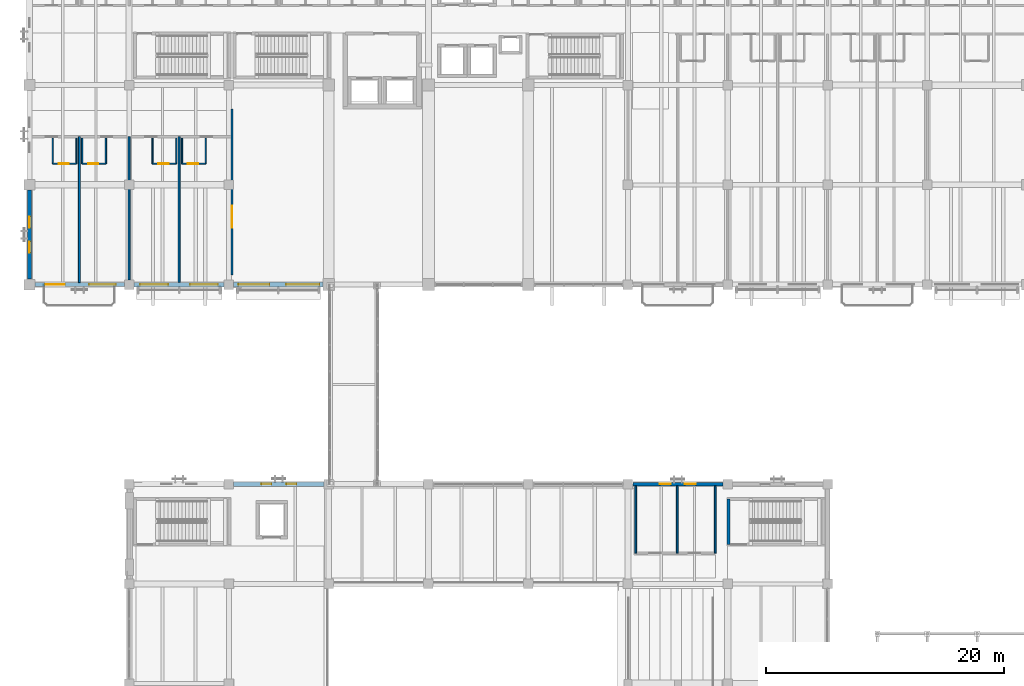
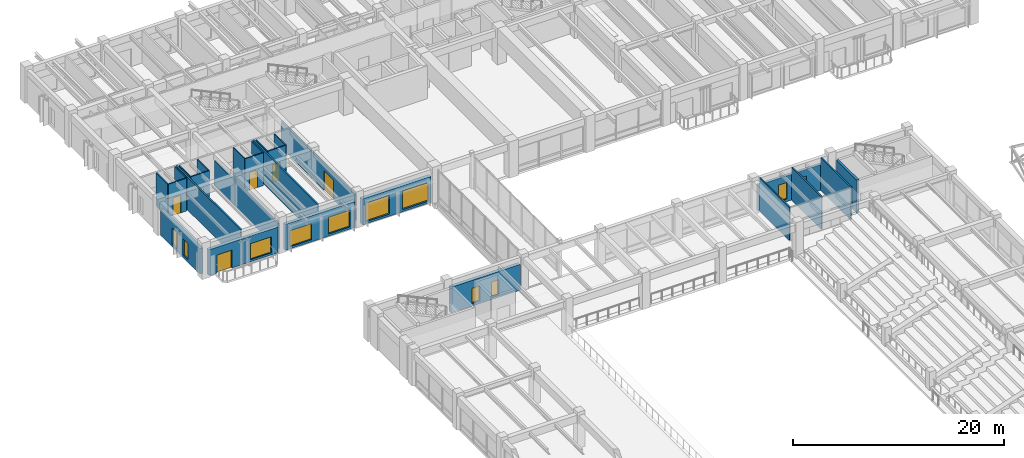
# One storey, part 84 of 132: 26 walls, 11 windows, 6 doors, 17 openings.
"""IFC4 building model written with IfcOpenShell, lengths in metres."""

from ifc_helpers import new_model, si_unit, direction, frame, frame_2d, origin, place, context, subcontext, project, spatial, rectangle, extrude, material, layer, layer_set, type_object, element, fill, save


model = new_model("IFC4")

# Units and contexts
model_context = context("Model", 3, precision=1e-05, world=origin(), true_north=direction((0.0, 1.0)))
body_context = subcontext(model_context, "Body", "Model", "MODEL_VIEW")
ifc_project = project(units=[si_unit("LENGTHUNIT", "METRE"), si_unit("AREAUNIT", "SQUARE_METRE"), si_unit("VOLUMEUNIT", "CUBIC_METRE"), si_unit("PLANEANGLEUNIT", "RADIAN"), si_unit("MASSUNIT", "GRAM", prefix="KILO")], contexts=[model_context])

# Site, building, storey
site_placement = place(None, origin())
site = spatial("IfcSite", under=ifc_project, at=site_placement, CompositionType="ELEMENT")
building_placement = place(site_placement, origin())
building = spatial("IfcBuilding", under=site, at=building_placement, Name="Cumbredor Promenade Congress Hotel", CompositionType="ELEMENT")
storey_placement = place(building_placement, frame((0.0, 0.0, 7.56005859375)))
storey = spatial("IfcBuildingStorey", under=building, at=storey_placement, Name="L02", CompositionType="ELEMENT", Elevation=7.56005859375)

# Wall, opening, door
ifc_material_1 = material(Name="Moisture-resistant gypsum board on steel studs", Category="steel")
ifc_layer_1 = layer(ifc_material_1, 0.114990234375, Name="Moisture-resistant gypsum board on steel studs", Category="steel")
ifc_layer_set_1 = layer_set([ifc_layer_1], Name="Moisture-resistant gypsum board on steel studs")
wall_type_1 = type_object("IfcWallType", Name="WL-BATH-115", PredefinedType="PARTITIONING", material=ifc_layer_set_1)
wall_1_placement = place(storey_placement, frame((1.9599609375, 94.179931640625, 0.0), z_axis=(0.0, 0.0, 1.0), x_axis=(1.0, 0.0, 0.0)))
wall_1 = element("IfcWall", 1, at=wall_1_placement, inside=storey, type_object=wall_type_1, Name="L02 Interior Partition W-L02-BH-0281", PredefinedType="PARTITIONING", context=body_context, shape_type="SweptSolid", body=[
    extrude(rectangle(XDim=2.0, YDim=0.114990234375, at=frame_2d((1.0, 0.0))), origin(), (0.0, 0.0, 1.0), 3.800048828125),
])
opening_1_placement = place(wall_1_placement, frame((0.5, 0.0, 0.0)))
opening_1 = element("IfcOpeningElement", 2, at=opening_1_placement, cuts=wall_1, Name="Opening ID-01", PredefinedType="OPENING", context=body_context, shape_type="SweptSolid", body=[
    extrude(rectangle(XDim=0.860107421875, YDim=2.050048828125, at=frame_2d((0.43017578125, 1.02490234375))), frame((0.0, 0.0673828125, 0.0), z_axis=(0.0, -1.0, 0.0), x_axis=(1.0, 0.0, 0.0)), (0.0, 0.0, 1.0), 0.135009765625),
])
ifc_material_2 = material(Name="Kiln-dried tropical hardwood", Category="wood")
door_type_1 = type_object("IfcDoorType", Name="DR-BATH-860", OperationType="NOTDEFINED", PredefinedType="DOOR", material=ifc_material_2)
door_1_placement = place(opening_1_placement, origin())
door_1 = element("IfcDoor", 3, at=door_1_placement, inside=storey, type_object=door_type_1, Name="L02 Interior Door W-L02-BH-0281-01", OperationType="SINGLE_SWING_LEFT", OverallHeight=2.050048828125, OverallWidth=0.860107421875, PredefinedType="DOOR", context=body_context, shape_type="SweptSolid", body=[
    extrude(rectangle(XDim=0.860107421875, YDim=2.050048828125, at=frame_2d((0.43017578125, 1.02490234375))), frame((0.0, 0.02490234375, 0.0), z_axis=(0.0, -1.0, 0.0), x_axis=(1.0, 0.0, 0.0)), (0.0, 0.0, 1.0), 0.050048828125),
])
fill(opening_1, door_1)

# Walls
for number, where, z_axis, x_axis, name in (
    (4, (1.9599609375, 94.179931640625, 0.0), (0.0, 0.0, 1.0), (0.0, 1.0, 0.0), "L02 Interior Partition W-L02-BV1-0281"),
    (5, (3.9599609375, 94.179931640625, 0.0), (0.0, 0.0, 1.0), (0.0, 1.0, 0.0), "L02 Interior Partition W-L02-BV2-0281"),
):
    element("IfcWall", number, at=place(storey_placement, frame(where, z_axis=z_axis, x_axis=x_axis)), inside=storey, type_object=wall_type_1, Name=name, PredefinedType="PARTITIONING", context=body_context, shape_type="SweptSolid", body=[
        extrude(rectangle(XDim=2.150146484375, YDim=0.114990234375, at=frame_2d((1.0751953125, 0.0))), origin(), (0.0, 0.0, 1.0), 3.800048828125),
    ])

# Wall, opening, door
wall_2_placement = place(storey_placement, frame((4.43994140625, 94.179931640625, 0.0), z_axis=(0.0, 0.0, 1.0), x_axis=(1.0, 0.0, 0.0)))
wall_2 = element("IfcWall", 6, at=wall_2_placement, inside=storey, type_object=wall_type_1, Name="L02 Interior Partition W-L02-BH-0282", PredefinedType="PARTITIONING", context=body_context, shape_type="SweptSolid", body=[
    extrude(rectangle(XDim=2.0, YDim=0.114990234375, at=frame_2d((1.0, 0.0))), origin(), (0.0, 0.0, 1.0), 3.800048828125),
])
opening_2_placement = place(wall_2_placement, frame((0.5, 0.0, 0.0)))
opening_2 = element("IfcOpeningElement", 7, at=opening_2_placement, cuts=wall_2, Name="Opening ID-01", PredefinedType="OPENING", context=body_context, shape_type="SweptSolid", body=[
    extrude(rectangle(XDim=0.860107421875, YDim=2.050048828125, at=frame_2d((0.43017578125, 1.02490234375))), frame((0.0, 0.0673828125, 0.0), z_axis=(0.0, -1.0, 0.0), x_axis=(1.0, 0.0, 0.0)), (0.0, 0.0, 1.0), 0.135009765625),
])
door_2_placement = place(opening_2_placement, origin())
door_2 = element("IfcDoor", 8, at=door_2_placement, inside=storey, type_object=door_type_1, Name="L02 Interior Door W-L02-BH-0282-01", OperationType="SINGLE_SWING_RIGHT", OverallHeight=2.050048828125, OverallWidth=0.860107421875, PredefinedType="DOOR", context=body_context, shape_type="SweptSolid", body=[
    extrude(rectangle(XDim=0.860107421875, YDim=2.050048828125, at=frame_2d((0.43017578125, 1.02490234375))), frame((0.0, 0.02490234375, 0.0), z_axis=(0.0, -1.0, 0.0), x_axis=(1.0, 0.0, 0.0)), (0.0, 0.0, 1.0), 0.050048828125),
])
fill(opening_2, door_2)

# Walls
for number, where, z_axis, x_axis, name in (
    (9, (4.43994140625, 94.179931640625, 0.0), (0.0, 0.0, 1.0), (0.0, 1.0, 0.0), "L02 Interior Partition W-L02-BV1-0282"),
    (10, (6.43994140625, 94.179931640625, 0.0), (0.0, 0.0, 1.0), (0.0, 1.0, 0.0), "L02 Interior Partition W-L02-BV2-0282"),
):
    element("IfcWall", number, at=place(storey_placement, frame(where, z_axis=z_axis, x_axis=x_axis)), inside=storey, type_object=wall_type_1, Name=name, PredefinedType="PARTITIONING", context=body_context, shape_type="SweptSolid", body=[
        extrude(rectangle(XDim=2.150146484375, YDim=0.114990234375, at=frame_2d((1.0751953125, 0.0))), origin(), (0.0, 0.0, 1.0), 3.800048828125),
    ])

# Wall, opening, door
wall_3_placement = place(storey_placement, frame((10.360107421875, 94.179931640625, 0.0), z_axis=(0.0, 0.0, 1.0), x_axis=(1.0, 0.0, 0.0)))
wall_3 = element("IfcWall", 11, at=wall_3_placement, inside=storey, type_object=wall_type_1, Name="L02 Interior Partition W-L02-BH-0283", PredefinedType="PARTITIONING", context=body_context, shape_type="SweptSolid", body=[
    extrude(rectangle(XDim=2.0, YDim=0.114990234375, at=frame_2d((1.0, 0.0))), origin(), (0.0, 0.0, 1.0), 3.800048828125),
])
opening_3_placement = place(wall_3_placement, frame((0.5, 0.0, 0.0)))
opening_3 = element("IfcOpeningElement", 12, at=opening_3_placement, cuts=wall_3, Name="Opening ID-01", PredefinedType="OPENING", context=body_context, shape_type="SweptSolid", body=[
    extrude(rectangle(XDim=0.860107421875, YDim=2.050048828125, at=frame_2d((0.43017578125, 1.02490234375))), frame((0.0, 0.0673828125, 0.0), z_axis=(0.0, -1.0, 0.0), x_axis=(1.0, 0.0, 0.0)), (0.0, 0.0, 1.0), 0.135009765625),
])
door_3_placement = place(opening_3_placement, origin())
door_3 = element("IfcDoor", 13, at=door_3_placement, inside=storey, type_object=door_type_1, Name="L02 Interior Door W-L02-BH-0283-01", OperationType="SINGLE_SWING_LEFT", OverallHeight=2.050048828125, OverallWidth=0.860107421875, PredefinedType="DOOR", context=body_context, shape_type="SweptSolid", body=[
    extrude(rectangle(XDim=0.860107421875, YDim=2.050048828125, at=frame_2d((0.43017578125, 1.02490234375))), frame((0.0, 0.02490234375, 0.0), z_axis=(0.0, -1.0, 0.0), x_axis=(1.0, 0.0, 0.0)), (0.0, 0.0, 1.0), 0.050048828125),
])
fill(opening_3, door_3)

# Walls
for number, where, z_axis, x_axis, name in (
    (14, (10.360107421875, 94.179931640625, 0.0), (0.0, 0.0, 1.0), (0.0, 1.0, 0.0), "L02 Interior Partition W-L02-BV1-0283"),
    (15, (12.360107421875, 94.179931640625, 0.0), (0.0, 0.0, 1.0), (0.0, 1.0, 0.0), "L02 Interior Partition W-L02-BV2-0283"),
):
    element("IfcWall", number, at=place(storey_placement, frame(where, z_axis=z_axis, x_axis=x_axis)), inside=storey, type_object=wall_type_1, Name=name, PredefinedType="PARTITIONING", context=body_context, shape_type="SweptSolid", body=[
        extrude(rectangle(XDim=2.150146484375, YDim=0.114990234375, at=frame_2d((1.0751953125, 0.0))), origin(), (0.0, 0.0, 1.0), 3.800048828125),
    ])

# Wall, opening, door
wall_4_placement = place(storey_placement, frame((12.840087890625, 94.179931640625, 0.0), z_axis=(0.0, 0.0, 1.0), x_axis=(1.0, 0.0, 0.0)))
wall_4 = element("IfcWall", 16, at=wall_4_placement, inside=storey, type_object=wall_type_1, Name="L02 Interior Partition W-L02-BH-0284", PredefinedType="PARTITIONING", context=body_context, shape_type="SweptSolid", body=[
    extrude(rectangle(XDim=2.0, YDim=0.114990234375, at=frame_2d((1.0, 0.0))), origin(), (0.0, 0.0, 1.0), 3.800048828125),
])
opening_4_placement = place(wall_4_placement, frame((0.5, 0.0, 0.0)))
opening_4 = element("IfcOpeningElement", 17, at=opening_4_placement, cuts=wall_4, Name="Opening ID-01", PredefinedType="OPENING", context=body_context, shape_type="SweptSolid", body=[
    extrude(rectangle(XDim=0.860107421875, YDim=2.050048828125, at=frame_2d((0.43017578125, 1.02490234375))), frame((0.0, 0.0673828125, 0.0), z_axis=(0.0, -1.0, 0.0), x_axis=(1.0, 0.0, 0.0)), (0.0, 0.0, 1.0), 0.135009765625),
])
door_4_placement = place(opening_4_placement, origin())
door_4 = element("IfcDoor", 18, at=door_4_placement, inside=storey, type_object=door_type_1, Name="L02 Interior Door W-L02-BH-0284-01", OperationType="SINGLE_SWING_RIGHT", OverallHeight=2.050048828125, OverallWidth=0.860107421875, PredefinedType="DOOR", context=body_context, shape_type="SweptSolid", body=[
    extrude(rectangle(XDim=0.860107421875, YDim=2.050048828125, at=frame_2d((0.43017578125, 1.02490234375))), frame((0.0, 0.02490234375, 0.0), z_axis=(0.0, -1.0, 0.0), x_axis=(1.0, 0.0, 0.0)), (0.0, 0.0, 1.0), 0.050048828125),
])
fill(opening_4, door_4)

# Walls
for number, where, z_axis, x_axis, name in (
    (19, (12.840087890625, 94.179931640625, 0.0), (0.0, 0.0, 1.0), (0.0, 1.0, 0.0), "L02 Interior Partition W-L02-BV1-0284"),
    (20, (14.840087890625, 94.179931640625, 0.0), (0.0, 0.0, 1.0), (0.0, 1.0, 0.0), "L02 Interior Partition W-L02-BV2-0284"),
):
    element("IfcWall", number, at=place(storey_placement, frame(where, z_axis=z_axis, x_axis=x_axis)), inside=storey, type_object=wall_type_1, Name=name, PredefinedType="PARTITIONING", context=body_context, shape_type="SweptSolid", body=[
        extrude(rectangle(XDim=2.150146484375, YDim=0.114990234375, at=frame_2d((1.0751953125, 0.0))), origin(), (0.0, 0.0, 1.0), 3.800048828125),
    ])

# Wall, opening, door
ifc_material_3 = material(Name="Fire-rated hotel corridor wall")
ifc_layer_2 = layer(ifc_material_3, 0.179931640625, Name="Fire-rated hotel corridor wall")
ifc_layer_set_2 = layer_set([ifc_layer_2], Name="Fire-rated hotel corridor wall")
wall_type_2 = type_object("IfcWallType", Name="WL-CORR-180", PredefinedType="PARTITIONING", material=ifc_layer_set_2)
wall_5_placement = place(storey_placement, frame((17.050048828125, 84.800048828125, 0.0), z_axis=(0.0, 0.0, 1.0), x_axis=(0.0, 1.0, 0.0)))
wall_5 = element("IfcWall", 21, at=wall_5_placement, inside=storey, type_object=wall_type_2, Name="L02 Interior Partition W-L02-CSAL-W", PredefinedType="PARTITIONING", context=body_context, shape_type="SweptSolid", body=[
    extrude(rectangle(XDim=14.0, YDim=0.179931640625, at=frame_2d((7.0, 0.0))), origin(), (0.0, 0.0, 1.0), 3.034912109375),
])
opening_5_placement = place(wall_5_placement, frame((4.0, 0.0, 0.0)))
opening_5 = element("IfcOpeningElement", 22, at=opening_5_placement, cuts=wall_5, Name="Opening FD-10", PredefinedType="OPENING", context=body_context, shape_type="SweptSolid", body=[
    extrude(rectangle(XDim=1.820068359375, YDim=2.25, at=frame_2d((0.91015625, 1.125))), frame((0.0, 0.10009765625, 0.0), z_axis=(0.0, -1.0, 0.0), x_axis=(1.0, 0.0, 0.0)), (0.0, 0.0, 1.0), 0.199951171875),
])
ifc_material_4 = material(Name="Solid-core fire-rated tropical hardwood", Category="wood")
door_type_2 = type_object("IfcDoorType", Name="DR-DBL-FD60-1800", OperationType="DOUBLE_DOOR_SINGLE_SWING", PredefinedType="DOOR", material=ifc_material_4)
door_5_placement = place(opening_5_placement, origin())
door_5 = element("IfcDoor", 23, at=door_5_placement, inside=storey, type_object=door_type_2, Name="L02 Interior Door W-L02-CSAL-W-01", OperationType="DOUBLE_DOOR_SINGLE_SWING", OverallHeight=2.25, OverallWidth=1.820068359375, PredefinedType="DOOR", context=body_context, shape_type="SweptSolid", body=[
    extrude(rectangle(XDim=1.820068359375, YDim=2.25, at=frame_2d((0.91015625, 1.125))), frame((0.0, 0.02490234375, 0.0), z_axis=(0.0, -1.0, 0.0), x_axis=(1.0, 0.0, 0.0)), (0.0, 0.0, 1.0), 0.050048828125),
])
fill(opening_5, door_5)

# Wall, openings, windows
ifc_material_5 = material(Name="Concrete C40/50", Category="concrete")
ifc_layer_3 = layer(ifc_material_5, 0.280029296875, Name="Concrete C40/50", Category="concrete")
ifc_layer_set_3 = layer_set([ifc_layer_3], Name="Concrete C40/50")
wall_type_3 = type_object("IfcWallType", Name="WL-EXT-280", PredefinedType="SOLIDWALL", material=ifc_layer_set_3)
wall_6_placement = place(storey_placement, frame((50.801025390625, 67.199951171875, 0.0), z_axis=(0.0, 0.0, 1.0), x_axis=(1.0, 0.0, 0.0)))
wall_6 = element("IfcWall", 24, at=wall_6_placement, inside=storey, type_object=wall_type_3, Name="L02 Plenary Congress Hall North Envelope Wall 6", PredefinedType="SOLIDWALL", context=body_context, shape_type="SweptSolid", body=[
    extrude(rectangle(XDim=7.597900390625, YDim=0.280029296875, at=frame_2d((3.798828125, 0.0))), origin(), (0.0, 0.0, 1.0), 2.98486328125),
])
opening_6_placement = place(wall_6_placement, frame((2.283935546875, 0.0, 0.300048828125)))
opening_6 = element("IfcOpeningElement", 25, at=opening_6_placement, cuts=wall_6, Name="Opening WN-68", PredefinedType="OPENING", context=body_context, shape_type="SweptSolid", body=[
    extrude(rectangle(XDim=0.929931640625, YDim=1.89990234375, at=frame_2d((0.46484375, 0.949951171875))), frame((0.0, 0.14990234375, 0.0), z_axis=(0.0, -1.0, 0.0), x_axis=(1.0, 0.0, 0.0)), (0.0, 0.0, 1.0), 0.300048828125),
])
opening_7_placement = place(wall_6_placement, frame((4.384033203125, 0.0, 0.300048828125)))
opening_7 = element("IfcOpeningElement", 26, at=opening_7_placement, cuts=wall_6, Name="Opening WN-68", PredefinedType="OPENING", context=body_context, shape_type="SweptSolid", body=[
    extrude(rectangle(XDim=0.929931640625, YDim=1.89990234375, at=frame_2d((0.46484375, 0.949951171875))), frame((0.0, 0.14990234375, 0.0), z_axis=(0.0, -1.0, 0.0), x_axis=(1.0, 0.0, 0.0)), (0.0, 0.0, 1.0), 0.300048828125),
])
ifc_material_6 = material(Name="Thermally broken anodized aluminium and low-E glass", Category="aluminium")
window_type_1 = type_object("IfcWindowType", Name="Vertical Slot Window WN-68 930x1900", PartitioningType="SINGLE_PANEL", PredefinedType="WINDOW", material=ifc_material_6)
window_1_placement = place(opening_6_placement, origin())
window_1 = element("IfcWindow", 27, at=window_1_placement, inside=storey, type_object=window_type_1, Name="L02 Vertical Slot Window 0242", OverallHeight=1.89990234375, OverallWidth=0.929931640625, PartitioningType="SINGLE_PANEL", PredefinedType="WINDOW", context=body_context, shape_type="SweptSolid", body=[
    extrude(rectangle(XDim=0.929931640625, YDim=1.89990234375, at=frame_2d((0.46484375, 0.949951171875))), frame((0.0, 0.030029296875, 0.0), z_axis=(0.0, -1.0, 0.0), x_axis=(1.0, 0.0, 0.0)), (0.0, 0.0, 1.0), 0.06005859375),
])
fill(opening_6, window_1)
window_2_placement = place(opening_7_placement, origin())
window_2 = element("IfcWindow", 28, at=window_2_placement, inside=storey, type_object=window_type_1, Name="L02 Vertical Slot Window 0243", OverallHeight=1.89990234375, OverallWidth=0.929931640625, PartitioningType="SINGLE_PANEL", PredefinedType="WINDOW", context=body_context, shape_type="SweptSolid", body=[
    extrude(rectangle(XDim=0.929931640625, YDim=1.89990234375, at=frame_2d((0.46484375, 0.949951171875))), frame((0.0, 0.030029296875, 0.0), z_axis=(0.0, -1.0, 0.0), x_axis=(1.0, 0.0, 0.0)), (0.0, 0.0, 1.0), 0.06005859375),
])
fill(opening_7, window_2)

# Wall, openings, door, window
ifc_layer_4 = layer(ifc_material_5, 0.35009765625, Name="Concrete C40/50", Category="concrete")
ifc_layer_set_4 = layer_set([ifc_layer_4], Name="Concrete C40/50")
wall_type_4 = type_object("IfcWallType", Name="WL-EXT-350", PredefinedType="SOLIDWALL", material=ifc_layer_set_4)
wall_7_placement = place(storey_placement, frame((0.450927734375, 84.0, 0.0), z_axis=(0.0, 0.0, 1.0), x_axis=(1.0, 0.0, 0.0)))
wall_7 = element("IfcWall", 29, at=wall_7_placement, inside=storey, type_object=wall_type_4, Name="L02 Stepped Congress Hotel Wing South Envelope Wall 1", PredefinedType="SOLIDWALL", context=body_context, shape_type="SweptSolid", body=[
    extrude(rectangle(XDim=7.548095703125, YDim=0.35009765625, at=frame_2d((3.77392578125, 0.0))), origin(), (0.0, 0.0, 1.0), 2.98486328125),
])
opening_8_placement = place(wall_7_placement, frame((0.8740234375, 0.0, 0.0)))
opening_8 = element("IfcOpeningElement", 30, at=opening_8_placement, cuts=wall_7, Name="Opening TD-02", PredefinedType="OPENING", context=body_context, shape_type="SweptSolid", body=[
    extrude(rectangle(XDim=1.64990234375, YDim=2.080078125, at=frame_2d((0.824951171875, 1.0400390625))), frame((0.0, 0.18505859375, 0.0), z_axis=(0.0, -1.0, 0.0), x_axis=(1.0, 0.0, 0.0)), (0.0, 0.0, 1.0), 0.3701171875),
])
opening_9_placement = place(wall_7_placement, frame((4.573974609375, 0.0, 0.25)))
opening_9 = element("IfcOpeningElement", 31, at=opening_9_placement, cuts=wall_7, Name="Opening WN-01", PredefinedType="OPENING", context=body_context, shape_type="SweptSolid", body=[
    extrude(rectangle(XDim=2.25, YDim=1.85009765625, at=frame_2d((1.125, 0.925048828125))), frame((0.0, 0.18505859375, 0.0), z_axis=(0.0, -1.0, 0.0), x_axis=(1.0, 0.0, 0.0)), (0.0, 0.0, 1.0), 0.3701171875),
])
ifc_material_7 = material(Name="Thermally broken anodized aluminium and laminated safety glass", Category="aluminium")
door_type_3 = type_object("IfcDoorType", Name="EXT-DR-TER-1650x2080", OperationType="DOUBLE_DOOR_SINGLE_SWING", PredefinedType="DOOR", material=ifc_material_7)
door_6_placement = place(opening_8_placement, frame((1.64990234375, 0.0, 0.0), z_axis=(0.0, 0.0, 1.0), x_axis=(-1.0, 0.0, 0.0)))
door_6 = element("IfcDoor", 32, at=door_6_placement, inside=storey, type_object=door_type_3, Name="L02 Guestroom Veranda Balcony Door 034", OperationType="DOUBLE_DOOR_SINGLE_SWING", OverallHeight=2.080078125, OverallWidth=1.64990234375, PredefinedType="DOOR", context=body_context, shape_type="SweptSolid", body=[
    extrude(rectangle(XDim=1.64990234375, YDim=2.080078125, at=frame_2d((0.824951171875, 1.0400390625))), frame((0.0, 0.02490234375, 0.0), z_axis=(0.0, -1.0, 0.0), x_axis=(1.0, 0.0, 0.0)), (0.0, 0.0, 1.0), 0.050048828125),
])
fill(opening_8, door_6)
window_type_2 = type_object("IfcWindowType", Name="Hospitality Floor-to-Ceiling Window WN-01 2250x1850", PartitioningType="DOUBLE_PANEL_VERTICAL", PredefinedType="WINDOW", material=ifc_material_6)
window_3_placement = place(opening_9_placement, origin())
window_3 = element("IfcWindow", 33, at=window_3_placement, inside=storey, type_object=window_type_2, Name="L02 Veranda Companion Floor-to-Ceiling Window 0298", OverallHeight=1.85009765625, OverallWidth=2.25, PartitioningType="DOUBLE_PANEL_VERTICAL", PredefinedType="WINDOW", context=body_context, shape_type="SweptSolid", body=[
    extrude(rectangle(XDim=2.25, YDim=1.85009765625, at=frame_2d((1.125, 0.925048828125))), frame((0.0, 0.030029296875, 0.0), z_axis=(0.0, -1.0, 0.0), x_axis=(1.0, 0.0, 0.0)), (0.0, 0.0, 1.0), 0.06005859375),
])
fill(opening_9, window_3)

# Wall, openings, windows
wall_8_placement = place(storey_placement, frame((0.0, 84.450927734375, 0.0), z_axis=(0.0, 0.0, 1.0), x_axis=(0.0, 1.0, 0.0)))
wall_8 = element("IfcWall", 34, at=wall_8_placement, inside=storey, type_object=wall_type_4, Name="L02 Stepped Congress Hotel Wing West Envelope Wall 1", PredefinedType="SOLIDWALL", context=body_context, shape_type="SweptSolid", body=[
    extrude(rectangle(XDim=7.498046875, YDim=0.35009765625, at=frame_2d((3.7490234375, 0.0))), origin(), (0.0, 0.0, 1.0), 2.93505859375),
])
opening_10_placement = place(wall_8_placement, frame((2.23388671875, 0.0, 0.300048828125)))
opening_10 = element("IfcOpeningElement", 35, at=opening_10_placement, cuts=wall_8, Name="Opening WN-68", PredefinedType="OPENING", context=body_context, shape_type="SweptSolid", body=[
    extrude(rectangle(XDim=0.929931640625, YDim=1.89990234375, at=frame_2d((0.46484375, 0.949951171875))), frame((0.0, 0.18505859375, 0.0), z_axis=(0.0, -1.0, 0.0), x_axis=(1.0, 0.0, 0.0)), (0.0, 0.0, 1.0), 0.3701171875),
])
opening_11_placement = place(wall_8_placement, frame((4.333984375, 0.0, 0.300048828125)))
opening_11 = element("IfcOpeningElement", 36, at=opening_11_placement, cuts=wall_8, Name="Opening WN-68", PredefinedType="OPENING", context=body_context, shape_type="SweptSolid", body=[
    extrude(rectangle(XDim=0.929931640625, YDim=1.89990234375, at=frame_2d((0.46484375, 0.949951171875))), frame((0.0, 0.18505859375, 0.0), z_axis=(0.0, -1.0, 0.0), x_axis=(1.0, 0.0, 0.0)), (0.0, 0.0, 1.0), 0.3701171875),
])
window_4_placement = place(opening_10_placement, origin())
window_4 = element("IfcWindow", 37, at=window_4_placement, inside=storey, type_object=window_type_1, Name="L02 Vertical Slot Window 0322", OverallHeight=1.89990234375, OverallWidth=0.929931640625, PartitioningType="SINGLE_PANEL", PredefinedType="WINDOW", context=body_context, shape_type="SweptSolid", body=[
    extrude(rectangle(XDim=0.929931640625, YDim=1.89990234375, at=frame_2d((0.46484375, 0.949951171875))), frame((0.0, 0.030029296875, 0.0), z_axis=(0.0, -1.0, 0.0), x_axis=(1.0, 0.0, 0.0)), (0.0, 0.0, 1.0), 0.06005859375),
])
fill(opening_10, window_4)
window_5_placement = place(opening_11_placement, origin())
window_5 = element("IfcWindow", 38, at=window_5_placement, inside=storey, type_object=window_type_1, Name="L02 Vertical Slot Window 0323", OverallHeight=1.89990234375, OverallWidth=0.929931640625, PartitioningType="SINGLE_PANEL", PredefinedType="WINDOW", context=body_context, shape_type="SweptSolid", body=[
    extrude(rectangle(XDim=0.929931640625, YDim=1.89990234375, at=frame_2d((0.46484375, 0.949951171875))), frame((0.0, 0.030029296875, 0.0), z_axis=(0.0, -1.0, 0.0), x_axis=(1.0, 0.0, 0.0)), (0.0, 0.0, 1.0), 0.06005859375),
])
fill(opening_11, window_5)

ifc_layer_5 = layer(ifc_material_5, 0.3798828125, Name="Concrete C40/50", Category="concrete")
ifc_layer_set_5 = layer_set([ifc_layer_5], Name="Concrete C40/50")
wall_type_5 = type_object("IfcWallType", Name="WL-EXT-380", PredefinedType="SOLIDWALL", material=ifc_layer_set_5)
wall_9_placement = place(storey_placement, frame((17.200927734375, 67.199951171875, 0.0), z_axis=(0.0, 0.0, 1.0), x_axis=(1.0, 0.0, 0.0)))
wall_9 = element("IfcWall", 39, at=wall_9_placement, inside=storey, type_object=wall_type_5, Name="L02 Plenary Congress Hall North Envelope Wall 2", PredefinedType="SOLIDWALL", context=body_context, shape_type="SweptSolid", body=[
    extrude(rectangle(XDim=7.59814453125, YDim=0.3798828125, at=frame_2d((3.799072265625, 0.0))), origin(), (0.0, 0.0, 1.0), 2.98486328125),
])
opening_12_placement = place(wall_9_placement, frame((2.3291015625, 0.0, 0.300048828125)))
opening_12 = element("IfcOpeningElement", 40, at=opening_12_placement, cuts=wall_9, Name="Opening WN-62", PredefinedType="OPENING", context=body_context, shape_type="SweptSolid", body=[
    extrude(rectangle(XDim=0.840087890625, YDim=1.75, at=frame_2d((0.419921875, 0.875))), frame((0.0, 0.199951171875, 0.0), z_axis=(0.0, -1.0, 0.0), x_axis=(1.0, 0.0, 0.0)), (0.0, 0.0, 1.0), 0.39990234375),
])
opening_13_placement = place(wall_9_placement, frame((4.428955078125, 0.0, 0.300048828125)))
opening_13 = element("IfcOpeningElement", 41, at=opening_13_placement, cuts=wall_9, Name="Opening WN-62", PredefinedType="OPENING", context=body_context, shape_type="SweptSolid", body=[
    extrude(rectangle(XDim=0.840087890625, YDim=1.75, at=frame_2d((0.419921875, 0.875))), frame((0.0, 0.199951171875, 0.0), z_axis=(0.0, -1.0, 0.0), x_axis=(1.0, 0.0, 0.0)), (0.0, 0.0, 1.0), 0.39990234375),
])
window_type_3 = type_object("IfcWindowType", Name="Vertical Slot Window WN-62 840x1750", PartitioningType="SINGLE_PANEL", PredefinedType="WINDOW", material=ifc_material_6)
window_6_placement = place(opening_12_placement, origin())
window_6 = element("IfcWindow", 42, at=window_6_placement, inside=storey, type_object=window_type_3, Name="L02 Vertical Slot Window 0240", OverallHeight=1.75, OverallWidth=0.840087890625, PartitioningType="SINGLE_PANEL", PredefinedType="WINDOW", context=body_context, shape_type="SweptSolid", body=[
    extrude(rectangle(XDim=0.840087890625, YDim=1.75, at=frame_2d((0.419921875, 0.875))), frame((0.0, 0.030029296875, 0.0), z_axis=(0.0, -1.0, 0.0), x_axis=(1.0, 0.0, 0.0)), (0.0, 0.0, 1.0), 0.06005859375),
])
fill(opening_12, window_6)
window_7_placement = place(opening_13_placement, origin())
window_7 = element("IfcWindow", 43, at=window_7_placement, inside=storey, type_object=window_type_3, Name="L02 Vertical Slot Window 0241", OverallHeight=1.75, OverallWidth=0.840087890625, PartitioningType="SINGLE_PANEL", PredefinedType="WINDOW", context=body_context, shape_type="SweptSolid", body=[
    extrude(rectangle(XDim=0.840087890625, YDim=1.75, at=frame_2d((0.419921875, 0.875))), frame((0.0, 0.030029296875, 0.0), z_axis=(0.0, -1.0, 0.0), x_axis=(1.0, 0.0, 0.0)), (0.0, 0.0, 1.0), 0.06005859375),
])
fill(opening_13, window_7)

wall_10_placement = place(storey_placement, frame((8.801025390625, 84.0, 0.0), z_axis=(0.0, 0.0, 1.0), x_axis=(1.0, 0.0, 0.0)))
wall_10 = element("IfcWall", 44, at=wall_10_placement, inside=storey, type_object=wall_type_5, Name="L02 Stepped Congress Hotel Wing South Envelope Wall 2", PredefinedType="SOLIDWALL", context=body_context, shape_type="SweptSolid", body=[
    extrude(rectangle(XDim=7.597900390625, YDim=0.3798828125, at=frame_2d((3.798828125, 0.0))), origin(), (0.0, 0.0, 1.0), 2.98486328125),
])
opening_14_placement = place(wall_10_placement, frame((0.52392578125, 0.0, 0.25)))
opening_14 = element("IfcOpeningElement", 45, at=opening_14_placement, cuts=wall_10, Name="Opening WN-02", PredefinedType="OPENING", context=body_context, shape_type="SweptSolid", body=[
    extrude(rectangle(XDim=2.35009765625, YDim=1.85009765625, at=frame_2d((1.175048828125, 0.925048828125))), frame((0.0, 0.199951171875, 0.0), z_axis=(0.0, -1.0, 0.0), x_axis=(1.0, 0.0, 0.0)), (0.0, 0.0, 1.0), 0.39990234375),
])
opening_15_placement = place(wall_10_placement, frame((4.72412109375, 0.0, 0.25)))
opening_15 = element("IfcOpeningElement", 46, at=opening_15_placement, cuts=wall_10, Name="Opening WN-08", PredefinedType="OPENING", context=body_context, shape_type="SweptSolid", body=[
    extrude(rectangle(XDim=2.35009765625, YDim=1.949951171875, at=frame_2d((1.175048828125, 0.97509765625))), frame((0.0, 0.199951171875, 0.0), z_axis=(0.0, -1.0, 0.0), x_axis=(1.0, 0.0, 0.0)), (0.0, 0.0, 1.0), 0.39990234375),
])
window_type_4 = type_object("IfcWindowType", Name="Hospitality Floor-to-Ceiling Window WN-02 2350x1850", PartitioningType="DOUBLE_PANEL_VERTICAL", PredefinedType="WINDOW", material=ifc_material_6)
window_8_placement = place(opening_14_placement, origin())
window_8 = element("IfcWindow", 47, at=window_8_placement, inside=storey, type_object=window_type_4, Name="L02 Wide Hospitality Window 0299", OverallHeight=1.85009765625, OverallWidth=2.35009765625, PartitioningType="DOUBLE_PANEL_VERTICAL", PredefinedType="WINDOW", context=body_context, shape_type="SweptSolid", body=[
    extrude(rectangle(XDim=2.35009765625, YDim=1.85009765625, at=frame_2d((1.175048828125, 0.925048828125))), frame((0.0, 0.030029296875, 0.0), z_axis=(0.0, -1.0, 0.0), x_axis=(1.0, 0.0, 0.0)), (0.0, 0.0, 1.0), 0.06005859375),
])
fill(opening_14, window_8)
window_type_5 = type_object("IfcWindowType", Name="Hospitality Floor-to-Ceiling Window WN-08 2350x1950", PartitioningType="DOUBLE_PANEL_VERTICAL", PredefinedType="WINDOW", material=ifc_material_6)
window_9_placement = place(opening_15_placement, origin())
window_9 = element("IfcWindow", 48, at=window_9_placement, inside=storey, type_object=window_type_5, Name="L02 Wide Hospitality Window 0300", OverallHeight=1.949951171875, OverallWidth=2.35009765625, PartitioningType="DOUBLE_PANEL_VERTICAL", PredefinedType="WINDOW", context=body_context, shape_type="SweptSolid", body=[
    extrude(rectangle(XDim=2.35009765625, YDim=1.949951171875, at=frame_2d((1.175048828125, 0.97509765625))), frame((0.0, 0.030029296875, 0.0), z_axis=(0.0, -1.0, 0.0), x_axis=(1.0, 0.0, 0.0)), (0.0, 0.0, 1.0), 0.06005859375),
])
fill(opening_15, window_9)

ifc_layer_6 = layer(ifc_material_5, 0.425048828125, Name="Concrete C40/50", Category="concrete")
ifc_layer_set_6 = layer_set([ifc_layer_6], Name="Concrete C40/50")
wall_type_6 = type_object("IfcWallType", Name="WL-EXT-425", PredefinedType="SOLIDWALL", material=ifc_layer_set_6)
wall_11_placement = place(storey_placement, frame((17.200927734375, 84.0, 0.0), z_axis=(0.0, 0.0, 1.0), x_axis=(1.0, 0.0, 0.0)))
wall_11 = element("IfcWall", 49, at=wall_11_placement, inside=storey, type_object=wall_type_6, Name="L02 Stepped Congress Hotel Wing South Envelope Wall 3", PredefinedType="SOLIDWALL", context=body_context, shape_type="SweptSolid", body=[
    extrude(rectangle(XDim=7.498046875, YDim=0.425048828125, at=frame_2d((3.7490234375, 0.0))), origin(), (0.0, 0.0, 1.0), 2.98486328125),
])
opening_16_placement = place(wall_11_placement, frame((0.39892578125, 0.0, 0.25)))
opening_16 = element("IfcOpeningElement", 50, at=opening_16_placement, cuts=wall_11, Name="Opening WN-22", PredefinedType="OPENING", context=body_context, shape_type="SweptSolid", body=[
    extrude(rectangle(XDim=2.60009765625, YDim=2.14990234375, at=frame_2d((1.300048828125, 1.074951171875))), frame((0.0, 0.22265625, 0.0), z_axis=(0.0, -1.0, 0.0), x_axis=(1.0, 0.0, 0.0)), (0.0, 0.0, 1.0), 0.445068359375),
])
opening_17_placement = place(wall_11_placement, frame((4.41796875, 0.0, 0.25)))
opening_17 = element("IfcOpeningElement", 51, at=opening_17_placement, cuts=wall_11, Name="Opening WN-24", PredefinedType="OPENING", context=body_context, shape_type="SweptSolid", body=[
    extrude(rectangle(XDim=2.800048828125, YDim=2.14990234375, at=frame_2d((1.39990234375, 1.074951171875))), frame((0.0, 0.22265625, 0.0), z_axis=(0.0, -1.0, 0.0), x_axis=(1.0, 0.0, 0.0)), (0.0, 0.0, 1.0), 0.445068359375),
])
window_type_6 = type_object("IfcWindowType", Name="Hospitality Floor-to-Ceiling Window WN-22 2600x2150", PartitioningType="DOUBLE_PANEL_VERTICAL", PredefinedType="WINDOW", material=ifc_material_6)
window_10_placement = place(opening_16_placement, origin())
window_10 = element("IfcWindow", 52, at=window_10_placement, inside=storey, type_object=window_type_6, Name="L02 Wide Hospitality Window 0301", OverallHeight=2.14990234375, OverallWidth=2.60009765625, PartitioningType="DOUBLE_PANEL_VERTICAL", PredefinedType="WINDOW", context=body_context, shape_type="SweptSolid", body=[
    extrude(rectangle(XDim=2.60009765625, YDim=2.14990234375, at=frame_2d((1.300048828125, 1.074951171875))), frame((0.0, 0.030029296875, 0.0), z_axis=(0.0, -1.0, 0.0), x_axis=(1.0, 0.0, 0.0)), (0.0, 0.0, 1.0), 0.06005859375),
])
fill(opening_16, window_10)
window_type_7 = type_object("IfcWindowType", Name="Hospitality Floor-to-Ceiling Window WN-24 2800x2150", PartitioningType="DOUBLE_PANEL_VERTICAL", PredefinedType="WINDOW", material=ifc_material_6)
window_11_placement = place(opening_17_placement, origin())
window_11 = element("IfcWindow", 53, at=window_11_placement, inside=storey, type_object=window_type_7, Name="L02 Wide Hospitality Window 0302", OverallHeight=2.14990234375, OverallWidth=2.800048828125, PartitioningType="DOUBLE_PANEL_VERTICAL", PredefinedType="WINDOW", context=body_context, shape_type="SweptSolid", body=[
    extrude(rectangle(XDim=2.800048828125, YDim=2.14990234375, at=frame_2d((1.39990234375, 1.074951171875))), frame((0.0, 0.030029296875, 0.0), z_axis=(0.0, -1.0, 0.0), x_axis=(1.0, 0.0, 0.0)), (0.0, 0.0, 1.0), 0.06005859375),
])
fill(opening_17, window_11)

# Walls
ifc_material_8 = material(Name="Acoustic gypsum partition on steel studs", Category="steel")
ifc_layer_7 = layer(ifc_material_8, 0.139892578125, Name="Acoustic gypsum partition on steel studs", Category="steel")
ifc_layer_set_7 = layer_set([ifc_layer_7], Name="Acoustic gypsum partition on steel studs")
wall_type_7 = type_object("IfcWallType", Name="WL-PART-140", PredefinedType="PARTITIONING", material=ifc_layer_set_7)
for number, where, z_axis, x_axis, name in (
    (54, (51.050048828125, 61.39990234375, 0.0), (0.0, 0.0, 1.0), (0.0, 1.0, 0.0), "L02 Interior Partition W-L02-V1-WC-W"),
    (55, (54.550048828125, 61.39990234375, 0.0), (0.0, 0.0, 1.0), (0.0, 1.0, 0.0), "L02 Interior Partition W-L02-V1-WC-M"),
    (56, (57.75, 61.39990234375, 0.0), (0.0, 0.0, 1.0), (0.0, 1.0, 0.0), "L02 Interior Partition W-L02-V1-WC-E"),
):
    element("IfcWall", number, at=place(storey_placement, frame(where, z_axis=z_axis, x_axis=x_axis)), inside=storey, type_object=wall_type_7, Name=name, PredefinedType="PARTITIONING", context=body_context, shape_type="SweptSolid", body=[
        extrude(rectangle(XDim=5.66015625, YDim=0.139892578125, at=frame_2d((2.830078125, 0.0))), origin(), (0.0, 0.0, 1.0), 3.800048828125),
    ])
ifc_layer_8 = layer(ifc_material_5, 0.2548828125, Name="Concrete C40/50", Category="concrete")
ifc_layer_set_8 = layer_set([ifc_layer_8], Name="Concrete C40/50")
wall_type_8 = type_object("IfcWallType", Name="WL-SHAFT-250", PredefinedType="SOLIDWALL", material=ifc_layer_set_8)
wall_12_placement = place(storey_placement, frame((58.8798828125, 62.10009765625, 0.0), z_axis=(0.0, 0.0, 1.0), x_axis=(0.0, 1.0, 0.0)))
element("IfcWall", 57, at=wall_12_placement, inside=storey, type_object=wall_type_8, Name="STAIR-ST-07-L02 Shaft Wall West", PredefinedType="SOLIDWALL", context=body_context, shape_type="SweptSolid", body=[
    extrude(rectangle(XDim=3.849853515625, YDim=0.2548828125, at=frame_2d((1.9248046875, 0.0))), origin(), (0.0, 0.0, 1.0), 3.800048828125),
])
ifc_material_9 = material(Name="Fire-rated acoustic double-stud partition")
ifc_layer_9 = layer(ifc_material_9, 0.1650390625, Name="Fire-rated acoustic double-stud partition")
ifc_layer_set_9 = layer_set([ifc_layer_9], Name="Fire-rated acoustic double-stud partition")
wall_type_9 = type_object("IfcWallType", Name="WL-UNIT-165", PredefinedType="PARTITIONING", material=ifc_layer_set_9)
wall_13_placement = place(storey_placement, frame((4.199951171875, 84.175048828125, 0.0), z_axis=(0.0, 0.0, 1.0), x_axis=(0.0, 1.0, 0.0)))
element("IfcWall", 58, at=wall_13_placement, inside=storey, type_object=wall_type_9, Name="L02 Interior Partition W-L02-WS-DIV-1", PredefinedType="PARTITIONING", context=body_context, shape_type="SweptSolid", body=[
    extrude(rectangle(XDim=12.27490234375, YDim=0.1650390625, at=frame_2d((6.137451171875, 0.0))), origin(), (0.0, 0.0, 1.0), 3.800048828125),
])
wall_14_placement = place(storey_placement, frame((8.39990234375, 84.39990234375, 0.0), z_axis=(0.0, 0.0, 1.0), x_axis=(0.0, 1.0, 0.0)))
element("IfcWall", 59, at=wall_14_placement, inside=storey, type_object=wall_type_9, Name="L02 Interior Partition W-L02-WS-DIV-2", PredefinedType="PARTITIONING", context=body_context, shape_type="SweptSolid", body=[
    extrude(rectangle(XDim=12.050048828125, YDim=0.1650390625, at=frame_2d((6.02490234375, 0.0))), origin(), (0.0, 0.0, 1.0), 2.93505859375),
])
wall_15_placement = place(storey_placement, frame((12.60009765625, 84.18994140625, 0.0), z_axis=(0.0, 0.0, 1.0), x_axis=(0.0, 1.0, 0.0)))
element("IfcWall", 60, at=wall_15_placement, inside=storey, type_object=wall_type_9, Name="L02 Interior Partition W-L02-WS-DIV-3", PredefinedType="PARTITIONING", context=body_context, shape_type="SweptSolid", body=[
    extrude(rectangle(XDim=12.260009765625, YDim=0.1650390625, at=frame_2d((6.1298828125, 0.0))), origin(), (0.0, 0.0, 1.0), 3.800048828125),
])

save(model, "model.ifc")
